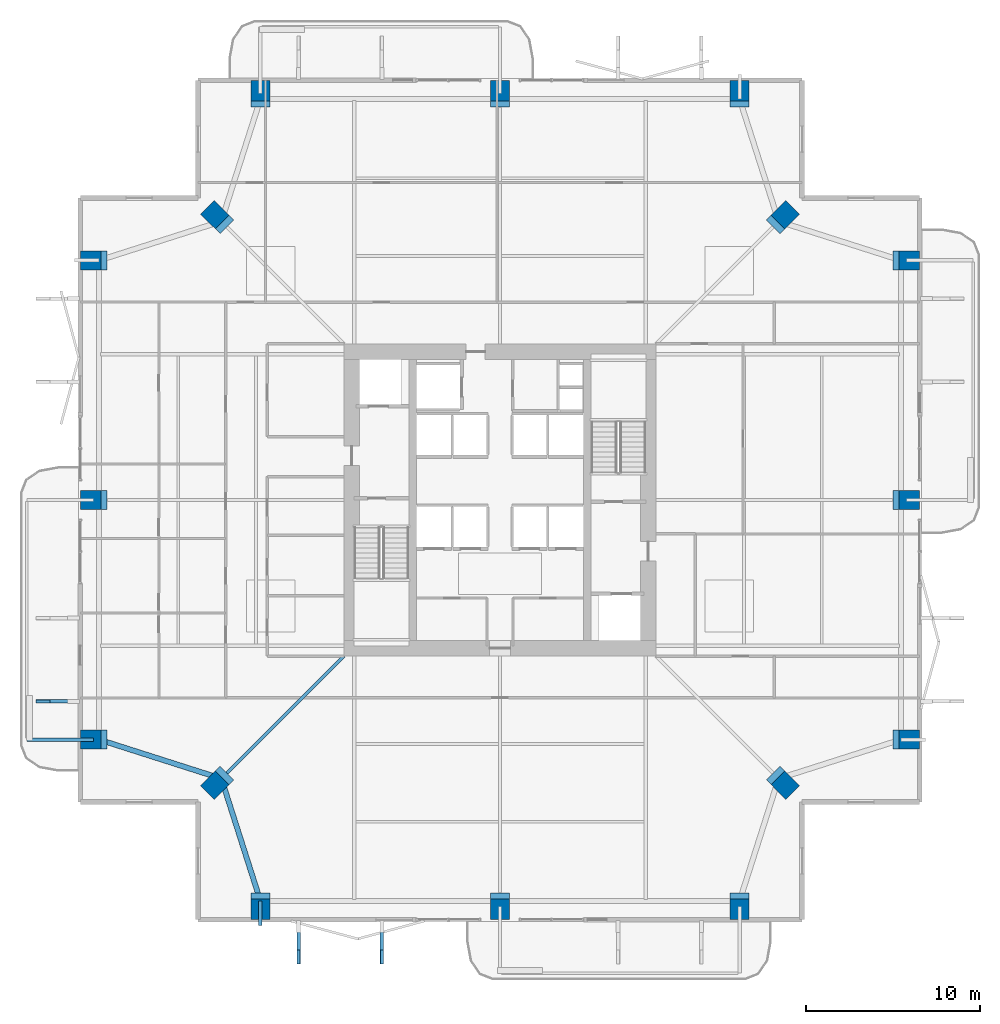
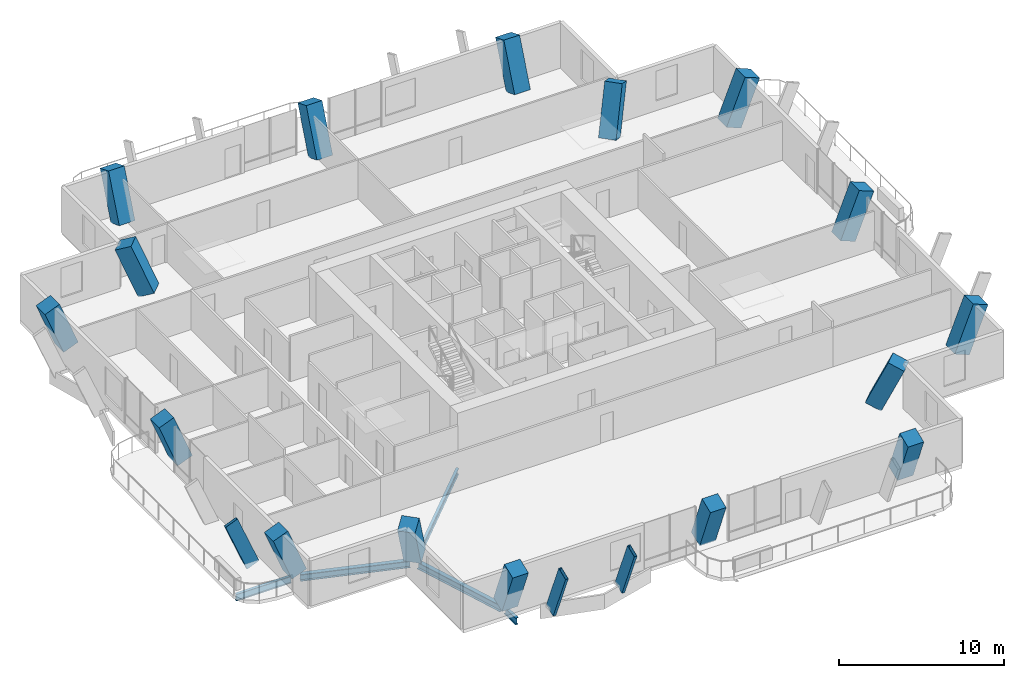
# One storey, part 1 of 24: 16 columns, 5 beams, 3 members.
"""IFC4 building model written with IfcOpenShell, lengths in metres."""

from ifc_helpers import new_model, si_unit, direction, frame, origin, origin_2d, place, context, subcontext, project, spatial, rectangle, hollow_rectangle, i_section, extrude, material, material_profile, profile_set, type_object, element, save


model = new_model("IFC4")

# Units and contexts
model_context = context("Model", 3, precision=1e-05, world=origin(), true_north=direction((0.0, 1.0)))
body_context = subcontext(model_context, "Body", "Model", "MODEL_VIEW")
ifc_project = project(units=[si_unit("LENGTHUNIT", "METRE"), si_unit("AREAUNIT", "SQUARE_METRE"), si_unit("VOLUMEUNIT", "CUBIC_METRE"), si_unit("PLANEANGLEUNIT", "RADIAN"), si_unit("MASSUNIT", "GRAM", prefix="KILO")], contexts=[model_context])

# Site, building, storey
site_placement = place(None, origin())
site = spatial("IfcSite", under=ifc_project, at=site_placement, CompositionType="ELEMENT")
building_placement = place(site_placement, origin())
building = spatial("IfcBuilding", under=site, at=building_placement, Name="Belovzor Exchange Tower", CompositionType="ELEMENT")
storey_placement = place(building_placement, frame((0.0, 0.0, 190.800048828125)))
storey = spatial("IfcBuildingStorey", under=building, at=storey_placement, Name="L47", CompositionType="ELEMENT", Elevation=190.800048828125)

# Columns
ifc_material_1 = material(Name="Concrete C50/60", Category="concrete")
ifc_material_profile_1 = material_profile(ifc_material_1, rectangle(XDim=1.10009765625, YDim=1.10009765625, at=origin_2d()))
ifc_profile_set_1 = profile_set([ifc_material_profile_1], Name="Concrete C50/60")
column_type = type_object("IfcColumnType", Name="Reinforced Concrete Tower Column 1100x1100", PredefinedType="COLUMN", material=ifc_profile_set_1)
for number, where, z_axis, x_axis, name in (
    (1, (15.0, 5.6640625, 0.0888671875), (0.0, -0.371258345829, 0.928529612157), (1.0, 0.0, 0.0), "COL-T110 Reinforced Concrete Tower Column 1100x1100"),
    (2, (28.800048828125, 5.6640625, 0.0888671875), (0.0, -0.371258345829, 0.928529612157), (1.0, 0.0, 0.0), "COL-T110 Reinforced Concrete Tower Column 1100x1100"),
    (3, (42.60009765625, 5.6640625, 0.0888671875), (0.0, -0.371258345829, 0.928529612157), (1.0, 0.0, 0.0), "COL-T110 Reinforced Concrete Tower Column 1100x1100"),
    (4, (51.93603515625, 15.0, 0.0888671875), (0.371258345829, 0.0, 0.928529612157), (0.0, 1.0, 0.0), "COL-T110 Reinforced Concrete Tower Column 1100x1100"),
    (5, (51.93603515625, 28.800048828125, 0.0888671875), (0.371258345829, 0.0, 0.928529612157), (0.0, 1.0, 0.0), "COL-T110 Reinforced Concrete Tower Column 1100x1100"),
    (6, (51.93603515625, 42.60009765625, 0.0888671875), (0.371258345829, 0.0, 0.928529612157), (0.0, 1.0, 0.0), "COL-T110 Reinforced Concrete Tower Column 1100x1100"),
    (7, (42.60009765625, 51.93603515625, 0.0888671875), (0.0, 0.371258345829, 0.928529612157), (-1.0, 0.0, 0.0), "COL-T110 Reinforced Concrete Tower Column 1100x1100"),
    (8, (28.800048828125, 51.93603515625, 0.0888671875), (0.0, 0.371258345829, 0.928529612157), (-1.0, 0.0, 0.0), "COL-T110 Reinforced Concrete Tower Column 1100x1100"),
    (9, (15.0, 51.93603515625, 0.0888671875), (0.0, 0.371258345829, 0.928529612157), (-1.0, 0.0, 0.0), "COL-T110 Reinforced Concrete Tower Column 1100x1100"),
    (10, (5.6640625, 42.60009765625, 0.0888671875), (-0.371258345829, 0.0, 0.928529612157), (0.0, -1.0, 0.0), "COL-T110 Reinforced Concrete Tower Column 1100x1100"),
    (11, (5.6640625, 28.800048828125, 0.0888671875), (-0.371258345829, 0.0, 0.928529612157), (0.0, -1.0, 0.0), "COL-T110 Reinforced Concrete Tower Column 1100x1100"),
    (12, (5.6640625, 15.0, 0.0888671875), (-0.371258345829, 0.0, 0.928529612157), (0.0, -1.0, 0.0), "COL-T110 Reinforced Concrete Tower Column 1100x1100"),
):
    element("IfcColumn", number, at=place(storey_placement, frame(where, z_axis=z_axis, x_axis=x_axis)), inside=storey, type_object=column_type, Name=name, PredefinedType="COLUMN", context=body_context, shape_type="SweptSolid", body=[
        extrude(rectangle(XDim=1.10009765625, YDim=1.10009765625, at=origin_2d()), origin(), (0.0, 0.0, 1.0), 3.4990234375),
    ])
for number, where, z_axis, x_axis, name in (
    (13, (12.714111328125, 12.714111328125, 0.112060546875), (-0.291589233017, -0.291589233017, 0.911016705871), (0.707106781187, -0.707106781187, 0.0), "COL-T110 Reinforced Concrete Tower Column 1100x1100"),
    (14, (44.885986328125, 12.714111328125, 0.112060546875), (0.291525692848, -0.291595136796, 0.911035151137), (0.707190985625, 0.707022566719, 0.0), "COL-T110 Reinforced Concrete Tower Column 1100x1100"),
    (15, (44.885986328125, 44.885986328125, 0.112060546875), (0.291531595579, 0.291531595579, 0.911053597522), (-0.707106781187, 0.707106781187, 0.0), "COL-T110 Reinforced Concrete Tower Column 1100x1100"),
    (16, (12.714111328125, 44.885986328125, 0.112060546875), (-0.291595136796, 0.291525692848, 0.911035151137), (-0.707022566719, -0.707190985625, 0.0), "COL-T110 Reinforced Concrete Tower Column 1100x1100"),
):
    element("IfcColumn", number, at=place(storey_placement, frame(where, z_axis=z_axis, x_axis=x_axis)), inside=storey, type_object=column_type, Name=name, PredefinedType="COLUMN", context=body_context, shape_type="SweptSolid", body=[
        extrude(rectangle(XDim=1.10009765625, YDim=1.10009765625, at=origin_2d()), origin(), (0.0, 0.0, 1.0), 3.515625),
    ])

# Beams
ifc_material_2 = material(Name="Steel S355", Category="steel")
ifc_material_profile_2 = material_profile(ifc_material_2, i_section(OverallWidth=0.199951171875, OverallDepth=0.5, WebThickness=0.01025390625, FlangeThickness=0.01611328125, at=origin_2d()))
ifc_profile_set_2 = profile_set([ifc_material_profile_2], Name="Steel S355")
beam_type_1 = type_object("IfcBeamType", Name="Planted Balcony Cantilever Beam IPE 500", PredefinedType="BEAM", material=ifc_profile_set_2)
beam_1_placement = place(storey_placement, frame((5.39697265625, 15.0, -0.505126953125), z_axis=(-1.0, 0.0, 0.0), x_axis=(0.0, -1.0, 0.0)))
element("IfcBeam", 17, at=beam_1_placement, inside=storey, type_object=beam_type_1, Name="BC-500 Planted Balcony Cantilever Beam IPE 500", PredefinedType="BEAM", context=body_context, shape_type="SweptSolid", body=[
    extrude(i_section(OverallWidth=0.199951171875, OverallDepth=0.5, WebThickness=0.01025390625, FlangeThickness=0.01611328125, at=origin_2d()), origin(), (0.0, 0.0, 1.0), 3.849853515625),
])
beam_2_placement = place(storey_placement, frame((15.0, 5.699951171875, -0.505126953125), z_axis=(0.0, -1.0, 0.0), x_axis=(1.0, 0.0, 0.0)))
element("IfcBeam", 18, at=beam_2_placement, inside=storey, type_object=beam_type_1, Name="BC-500 Planted Balcony Cantilever Beam IPE 500", PredefinedType="BEAM", context=body_context, shape_type="SweptSolid", body=[
    extrude(i_section(OverallWidth=0.199951171875, OverallDepth=0.5, WebThickness=0.01025390625, FlangeThickness=0.01611328125, at=origin_2d()), origin(), (0.0, 0.0, 1.0), 1.39990234375),
])

# Members
ifc_material_3 = material(Name="Extruded Architectural Terracotta on Steel S355 Carrier", Category="masonry")
ifc_material_profile_3 = material_profile(ifc_material_3, hollow_rectangle(XDim=0.199951171875, YDim=0.89990234375, WallThickness=0.011962890625, at=origin_2d()))
ifc_profile_set_3 = profile_set([ifc_material_profile_3], Name="Extruded Architectural Terracotta on Steel S355 Carrier")
member_type = type_object("IfcMemberType", Name="Sweeping Terracotta Baguette Fin Assembly 1250", PredefinedType="USERDEFINED", material=ifc_profile_set_3)
for number, where, z_axis, x_axis, name in (
    (19, (17.199951171875, 3.97509765625, -0.255126953125), (0.0, -0.384162484071, 0.923265501268), (1.0, 0.0, 0.0), "FIN-TC125 Terracotta Facade Fin L47 S1"),
    (20, (3.97509765625, 17.199951171875, -0.255126953125), (-0.384162484071, 0.0, 0.923265501268), (0.0, -1.0, 0.0), "FIN-TC125 Terracotta Facade Fin L47 W1"),
    (21, (22.0, 3.97509765625, -0.255126953125), (0.0, -0.384162484071, 0.923265501268), (1.0, 0.0, 0.0), "FIN-TC125 Terracotta Facade Fin L47 S2"),
):
    element("IfcMember", number, at=place(storey_placement, frame(where, z_axis=z_axis, x_axis=x_axis)), inside=storey, type_object=member_type, Name=name, ObjectType="FIN", PredefinedType="USERDEFINED", context=body_context, shape_type="SweptSolid", body=[
        extrude(hollow_rectangle(XDim=0.199951171875, YDim=0.89990234375, WallThickness=0.011962890625, at=origin_2d()), origin(), (0.0, 0.0, 1.0), 3.904541015625),
    ])

# Beams
ifc_material_4 = material(Name="Steel S355", Category="steel")
ifc_material_profile_4 = material_profile(ifc_material_4, i_section(OverallWidth=0.18994140625, OverallDepth=0.449951171875, WebThickness=0.009521484375, FlangeThickness=0.0146484375, at=origin_2d()))
ifc_profile_set_4 = profile_set([ifc_material_profile_4], Name="Steel S355")
beam_type_2 = type_object("IfcBeamType", Name="Zone 2-4 Radial Composite Floor Beam IPE 450", PredefinedType="BEAM", material=ifc_profile_set_4)
beam_3_placement = place(storey_placement, frame((19.800048828125, 19.800048828125, -0.47998046875), z_axis=(-0.707106781187, -0.707106781187, 0.0), x_axis=(0.707106781187, -0.707106781187, 0.0)))
element("IfcBeam", 22, at=beam_3_placement, inside=storey, type_object=beam_type_2, Name="FB-450 Zone 2-4 Radial Composite Floor Beam IPE 450", PredefinedType="BEAM", context=body_context, shape_type="SweptSolid", body=[
    extrude(i_section(OverallWidth=0.18994140625, OverallDepth=0.449951171875, WebThickness=0.009521484375, FlangeThickness=0.0146484375, at=origin_2d()), origin(), (0.0, 0.0, 1.0), 9.58154296875),
])
ifc_material_5 = material(Name="Steel S355", Category="steel")
ifc_material_profile_5 = material_profile(ifc_material_5, i_section(OverallWidth=0.300048828125, OverallDepth=0.5, WebThickness=0.014404296875, FlangeThickness=0.028076171875, at=origin_2d()))
ifc_profile_set_5 = profile_set([ifc_material_profile_5], Name="Steel S355")
beam_type_3 = type_object("IfcBeamType", Name="Zone 3 Waist Primary Girder HEB 500", PredefinedType="BEAM", material=ifc_profile_set_5)
for number, where, z_axis, x_axis, name in (
    (23, (12.842041015625, 12.4619140625, -0.505126953125), (0.304011730457, -0.952668288411, 0.0), (0.952668288411, 0.304011730457, 0.0), "FG-Z3 Zone 3 Waist Primary Girder HEB 500"),
    (24, (5.988037109375, 14.907958984375, -0.505126953125), (0.952668288411, -0.304011730457, 0.0), (0.304011730457, 0.952668288411, 0.0), "FG-Z3 Zone 3 Waist Primary Girder HEB 500"),
):
    element("IfcBeam", number, at=place(storey_placement, frame(where, z_axis=z_axis, x_axis=x_axis)), inside=storey, type_object=beam_type_3, Name=name, PredefinedType="BEAM", context=body_context, shape_type="SweptSolid", body=[
        extrude(i_section(OverallWidth=0.300048828125, OverallDepth=0.5, WebThickness=0.014404296875, FlangeThickness=0.028076171875, at=origin_2d()), origin(), (0.0, 0.0, 1.0), 6.79541015625),
    ])

save(model, "model.ifc")
